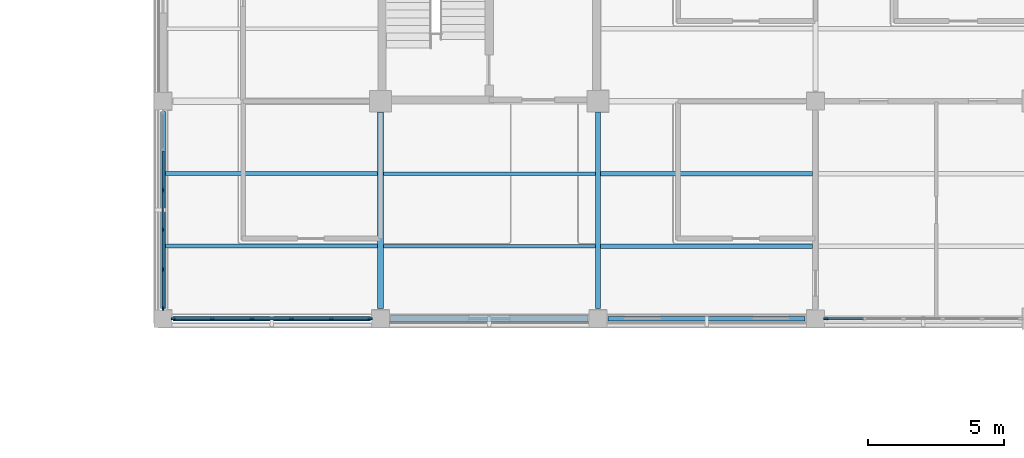
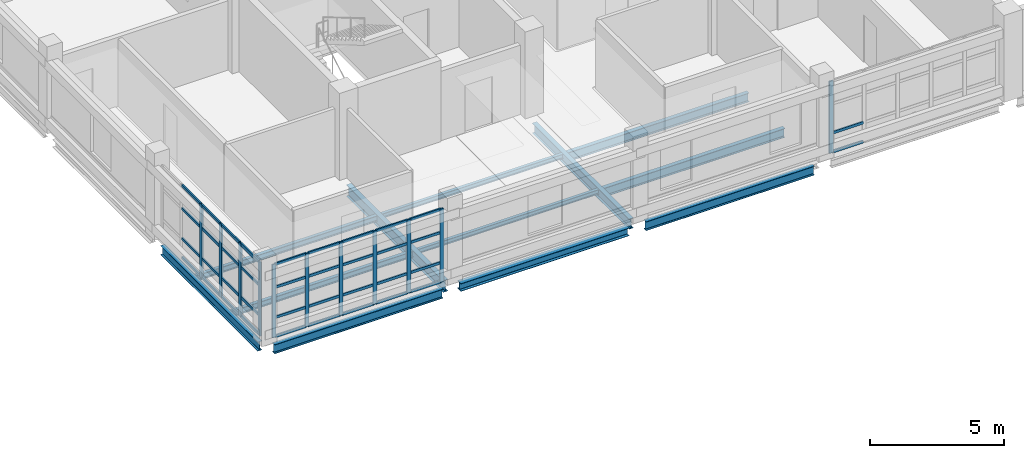
# One storey, part 57 of 126: 49 members, 12 beams, 3 elements without a shape of their own.
"""IFC4 building model written with IfcOpenShell, lengths in metres."""

from ifc_helpers import new_model, si_unit, derived_unit, direction, frame, origin, origin_2d, place, context, subcontext, project, spatial, rectangle, i_section, extrude, material, layer, layer_set, material_profile, profile_set, type_object, element, aggregate, save


model = new_model("IFC4")

# Units and contexts
model_context = context("Model", 3, precision=1e-05, world=origin(), true_north=direction((0.0, 1.0)))
body_context = subcontext(model_context, "Body", "Model", "MODEL_VIEW")
ifc_project = project(units=[si_unit("LENGTHUNIT", "METRE"), si_unit("AREAUNIT", "SQUARE_METRE"), si_unit("VOLUMEUNIT", "CUBIC_METRE"), si_unit("PLANEANGLEUNIT", "RADIAN"), si_unit("MASSUNIT", "GRAM", prefix="KILO"), derived_unit("THERMALTRANSMITTANCEUNIT", [(si_unit("MASSUNIT", "GRAM", prefix="KILO"), 1), (si_unit("TIMEUNIT", "SECOND"), -3), (si_unit("THERMODYNAMICTEMPERATUREUNIT", "KELVIN"), -1)])], contexts=[model_context])

# Site, building, storey
site_placement = place(None, origin())
site = spatial("IfcSite", under=ifc_project, at=site_placement, CompositionType="ELEMENT")
building_placement = place(site_placement, origin())
building = spatial("IfcBuilding", under=site, at=building_placement, Name="Veyamyaing Civic Hall", CompositionType="ELEMENT")
storey_placement = place(building_placement, frame((0.0, 0.0, 9.89990234375)))
storey = spatial("IfcBuildingStorey", under=building, at=storey_placement, Name="L02", CompositionType="ELEMENT", Elevation=9.89990234375)

# Beams
ifc_material_1 = material(Name="Steel ASTM A992", Category="steel")
ifc_material_profile_1 = material_profile(ifc_material_1, i_section(OverallWidth=0.208984375, OverallDepth=0.532958984375, WebThickness=0.01025390625, FlangeThickness=0.015625, FilletRadius=0.011962890625, at=origin_2d()), Name="W530X92")
ifc_profile_set_1 = profile_set([ifc_material_profile_1], Name="Steel ASTM A992")
beam_type_1 = type_object("IfcBeamType", Name="B-07", PredefinedType="BEAM", material=ifc_profile_set_1)
beam_1_placement = place(storey_placement, frame((136.0, 88.375, -0.551513671875), z_axis=(0.0, 1.0, 0.0), x_axis=(-1.0, 0.0, 0.0)))
element("IfcBeam", 1, at=beam_1_placement, inside=storey, type_object=beam_type_1, Name="Girder B-07 L02 Grid 18 M-N", PredefinedType="BEAM", context=body_context, shape_type="SweptSolid", body=[
    extrude(i_section(OverallWidth=0.208984375, OverallDepth=0.532958984375, WebThickness=0.01025390625, FlangeThickness=0.015625, FilletRadius=0.011962890625, at=origin_2d()), origin(), (0.0, 0.0, 1.0), 7.22509765625),
])
ifc_material_profile_2 = material_profile(ifc_material_1, i_section(OverallWidth=0.19189453125, OverallDepth=0.462890625, WebThickness=0.010498046875, FlangeThickness=0.017578125, FilletRadius=0.010009765625, at=origin_2d()), Name="W460X89")
ifc_profile_set_2 = profile_set([ifc_material_profile_2], Name="Steel ASTM A992")
beam_type_2 = type_object("IfcBeamType", Name="B-08", PredefinedType="BEAM", material=ifc_profile_set_2)
beam_2_placement = place(storey_placement, frame((144.0, 88.375, -0.516357421875), z_axis=(0.0, 1.0, 0.0), x_axis=(-1.0, 0.0, 0.0)))
element("IfcBeam", 2, at=beam_2_placement, inside=storey, type_object=beam_type_2, Name="Girder B-08 L02 Grid 19 M-N", PredefinedType="BEAM", context=body_context, shape_type="SweptSolid", body=[
    extrude(i_section(OverallWidth=0.19189453125, OverallDepth=0.462890625, WebThickness=0.010498046875, FlangeThickness=0.017578125, FilletRadius=0.010009765625, at=origin_2d()), origin(), (0.0, 0.0, 1.0), 7.22509765625),
])
ifc_material_profile_3 = material_profile(ifc_material_1, i_section(OverallWidth=0.179931640625, OverallDepth=0.4130859375, WebThickness=0.009765625, FlangeThickness=0.01611328125, FilletRadius=0.010009765625, at=origin_2d()), Name="W410X74")
ifc_profile_set_3 = profile_set([ifc_material_profile_3], Name="Steel ASTM A992")
beam_type_3 = type_object("IfcBeamType", Name="B-10", PredefinedType="SPANDREL", material=ifc_profile_set_3)
beam_3_placement = place(storey_placement, frame((144.375, 88.0, -0.491455078125), z_axis=(1.0, 0.0, 0.0), x_axis=(0.0, 1.0, 0.0)))
element("IfcBeam", 3, at=beam_3_placement, inside=storey, type_object=beam_type_3, Name="Girder B-10 L02 Grid M 19-20", PredefinedType="SPANDREL", context=body_context, shape_type="SweptSolid", body=[
    extrude(i_section(OverallWidth=0.179931640625, OverallDepth=0.4130859375, WebThickness=0.009765625, FlangeThickness=0.01611328125, FilletRadius=0.010009765625, at=origin_2d()), origin(), (0.0, 0.0, 1.0), 7.25),
])
ifc_material_profile_4 = material_profile(ifc_material_1, i_section(OverallWidth=0.180908203125, OverallDepth=0.4169921875, WebThickness=0.010986328125, FlangeThickness=0.018310546875, FilletRadius=0.010009765625, at=origin_2d()), Name="W410X85")
ifc_profile_set_4 = profile_set([ifc_material_profile_4], Name="Steel ASTM A992")
beam_type_4 = type_object("IfcBeamType", Name="B-19", PredefinedType="SPANDREL", material=ifc_profile_set_4)
for number, where, z_axis, x_axis, name in (
    (4, (128.375, 88.0, -0.493408203125), (1.0, 0.0, 0.0), (0.0, 1.0, 0.0), "Girder B-19 L02 Grid M 17-18"),
    (5, (128.0, 88.375, -0.493408203125), (0.0, 1.0, 0.0), (-1.0, 0.0, 0.0), "Girder B-19 L02 Grid 17 M-N"),
):
    element("IfcBeam", number, at=place(storey_placement, frame(where, z_axis=z_axis, x_axis=x_axis)), inside=storey, type_object=beam_type_4, Name=name, PredefinedType="SPANDREL", context=body_context, shape_type="SweptSolid", body=[
        extrude(i_section(OverallWidth=0.180908203125, OverallDepth=0.4169921875, WebThickness=0.010986328125, FlangeThickness=0.018310546875, FilletRadius=0.010009765625, at=origin_2d()), origin(), (0.0, 0.0, 1.0), 7.25),
    ])
ifc_material_profile_5 = material_profile(ifc_material_1, i_section(OverallWidth=0.25390625, OverallDepth=0.35302734375, WebThickness=0.009521484375, FlangeThickness=0.016357421875, FilletRadius=0.011962890625, at=origin_2d()), Name="W360X91")
ifc_profile_set_5 = profile_set([ifc_material_profile_5], Name="Steel ASTM A992")
beam_type_5 = type_object("IfcBeamType", Name="B-20", PredefinedType="SPANDREL", material=ifc_profile_set_5)
beam_4_placement = place(storey_placement, frame((136.375, 88.0, -0.46142578125), z_axis=(1.0, 0.0, 0.0), x_axis=(0.0, 1.0, 0.0)))
element("IfcBeam", 6, at=beam_4_placement, inside=storey, type_object=beam_type_5, Name="Girder B-20 L02 Grid M 18-19", PredefinedType="SPANDREL", context=body_context, shape_type="SweptSolid", body=[
    extrude(i_section(OverallWidth=0.25390625, OverallDepth=0.35302734375, WebThickness=0.009521484375, FlangeThickness=0.016357421875, FilletRadius=0.011962890625, at=origin_2d()), origin(), (0.0, 0.0, 1.0), 7.25),
])

# Curtain wall, members
ifc_material_2 = material(Name="Anodised aluminium 6063-T6", Category="aluminium")
ifc_layer = layer(ifc_material_2, 0.159912109375, Name="Anodised aluminium 6063-T6")
ifc_layer_set = layer_set([ifc_layer], Name="Anodised aluminium 6063-T6")
curtain_wall_type = type_object("IfcCurtainWallType", Name="CW-03", PredefinedType="NOTDEFINED", material=ifc_layer_set)
curtain_wall_1_placement = place(storey_placement, origin())
curtain_wall_1 = element("IfcCurtainWall", 7, at=curtain_wall_1_placement, inside=storey, type_object=curtain_wall_type, Name="Unitized curtain wall CW-03 L02 S 17.12", PredefinedType="NOTDEFINED")
ifc_material_profile_6 = material_profile(ifc_material_2, rectangle(XDim=0.06494140625, YDim=0.159912109375, at=origin_2d()), Name="ALU-MUL-65X160")
ifc_profile_set_6 = profile_set([ifc_material_profile_6], Name="Anodised aluminium 6063-T6")
member_type_1 = type_object("IfcMemberType", Name="CWM-01", PredefinedType="MULLION", material=ifc_profile_set_6)
member_1_placement = place(storey_placement, frame((128.387451171875, 88.0, 0.0), z_axis=(0.0, 0.0, 1.0), x_axis=(0.0, 1.0, 0.0)))
member_1 = element("IfcMember", 8, at=member_1_placement, type_object=member_type_1, Name="CW-03 mullion 1", PredefinedType="MULLION", context=body_context, shape_type="SweptSolid", body=[
    extrude(rectangle(XDim=0.06494140625, YDim=0.159912109375, at=origin_2d()), origin(), (0.0, 0.0, 1.0), 3.343994140625),
])
member_2_placement = place(storey_placement, frame((129.81298828125, 88.0, 0.0), z_axis=(0.0, 0.0, 1.0), x_axis=(0.0, 1.0, 0.0)))
member_2 = element("IfcMember", 9, at=member_2_placement, type_object=member_type_1, Name="CW-03 mullion 2", PredefinedType="MULLION", context=body_context, shape_type="SweptSolid", body=[
    extrude(rectangle(XDim=0.06494140625, YDim=0.159912109375, at=origin_2d()), origin(), (0.0, 0.0, 1.0), 3.343994140625),
])
member_3_placement = place(storey_placement, frame((131.27099609375, 88.0, 0.0), z_axis=(0.0, 0.0, 1.0), x_axis=(0.0, 1.0, 0.0)))
member_3 = element("IfcMember", 10, at=member_3_placement, type_object=member_type_1, Name="CW-03 mullion 3", PredefinedType="MULLION", context=body_context, shape_type="SweptSolid", body=[
    extrude(rectangle(XDim=0.06494140625, YDim=0.159912109375, at=origin_2d()), origin(), (0.0, 0.0, 1.0), 3.343994140625),
])
member_4_placement = place(storey_placement, frame((132.72900390625, 88.0, 0.0), z_axis=(0.0, 0.0, 1.0), x_axis=(0.0, 1.0, 0.0)))
member_4 = element("IfcMember", 11, at=member_4_placement, type_object=member_type_1, Name="CW-03 mullion 4", PredefinedType="MULLION", context=body_context, shape_type="SweptSolid", body=[
    extrude(rectangle(XDim=0.06494140625, YDim=0.159912109375, at=origin_2d()), origin(), (0.0, 0.0, 1.0), 3.343994140625),
])
member_5_placement = place(storey_placement, frame((134.18701171875, 88.0, 0.0), z_axis=(0.0, 0.0, 1.0), x_axis=(0.0, 1.0, 0.0)))
member_5 = element("IfcMember", 12, at=member_5_placement, type_object=member_type_1, Name="CW-03 mullion 5", PredefinedType="MULLION", context=body_context, shape_type="SweptSolid", body=[
    extrude(rectangle(XDim=0.06494140625, YDim=0.159912109375, at=origin_2d()), origin(), (0.0, 0.0, 1.0), 3.343994140625),
])
member_6_placement = place(storey_placement, frame((135.612548828125, 88.0, 0.0), z_axis=(0.0, 0.0, 1.0), x_axis=(0.0, 1.0, 0.0)))
member_6 = element("IfcMember", 13, at=member_6_placement, type_object=member_type_1, Name="CW-03 mullion 6", PredefinedType="MULLION", context=body_context, shape_type="SweptSolid", body=[
    extrude(rectangle(XDim=0.06494140625, YDim=0.159912109375, at=origin_2d()), origin(), (0.0, 0.0, 1.0), 3.343994140625),
])

curtain_wall_2_placement = place(storey_placement, origin())
curtain_wall_2 = element("IfcCurtainWall", 14, at=curtain_wall_2_placement, inside=storey, type_object=curtain_wall_type, Name="Unitized curtain wall CW-03 L02 W 17.12", PredefinedType="NOTDEFINED")
member_7_placement = place(storey_placement, frame((128.0, 88.387451171875, 0.0), z_axis=(0.0, 0.0, 1.0), x_axis=(-1.0, 0.0, 0.0)))
member_7 = element("IfcMember", 15, at=member_7_placement, type_object=member_type_1, Name="CW-03 mullion 1", PredefinedType="MULLION", context=body_context, shape_type="SweptSolid", body=[
    extrude(rectangle(XDim=0.06494140625, YDim=0.159912109375, at=origin_2d()), origin(), (0.0, 0.0, 1.0), 3.343994140625),
])
member_8_placement = place(storey_placement, frame((128.0, 89.81298828125, 0.0), z_axis=(0.0, 0.0, 1.0), x_axis=(-1.0, 0.0, 0.0)))
member_8 = element("IfcMember", 16, at=member_8_placement, type_object=member_type_1, Name="CW-03 mullion 2", PredefinedType="MULLION", context=body_context, shape_type="SweptSolid", body=[
    extrude(rectangle(XDim=0.06494140625, YDim=0.159912109375, at=origin_2d()), origin(), (0.0, 0.0, 1.0), 3.343994140625),
])
member_9_placement = place(storey_placement, frame((128.0, 91.27099609375, 0.0), z_axis=(0.0, 0.0, 1.0), x_axis=(-1.0, 0.0, 0.0)))
member_9 = element("IfcMember", 17, at=member_9_placement, type_object=member_type_1, Name="CW-03 mullion 3", PredefinedType="MULLION", context=body_context, shape_type="SweptSolid", body=[
    extrude(rectangle(XDim=0.06494140625, YDim=0.159912109375, at=origin_2d()), origin(), (0.0, 0.0, 1.0), 3.343994140625),
])
member_10_placement = place(storey_placement, frame((128.0, 92.72900390625, 0.0), z_axis=(0.0, 0.0, 1.0), x_axis=(-1.0, 0.0, 0.0)))
member_10 = element("IfcMember", 18, at=member_10_placement, type_object=member_type_1, Name="CW-03 mullion 4", PredefinedType="MULLION", context=body_context, shape_type="SweptSolid", body=[
    extrude(rectangle(XDim=0.06494140625, YDim=0.159912109375, at=origin_2d()), origin(), (0.0, 0.0, 1.0), 3.343994140625),
])

# Curtain wall, member
curtain_wall_3_placement = place(storey_placement, origin())
curtain_wall_3 = element("IfcCurtainWall", 19, at=curtain_wall_3_placement, inside=storey, type_object=curtain_wall_type, Name="Unitized curtain wall CW-03 L02 S 20.12", PredefinedType="NOTDEFINED")
member_11_placement = place(storey_placement, frame((152.387451171875, 88.0, 0.0), z_axis=(0.0, 0.0, 1.0), x_axis=(0.0, 1.0, 0.0)))
member_11 = element("IfcMember", 20, at=member_11_placement, type_object=member_type_1, Name="CW-03 mullion 1", PredefinedType="MULLION", context=body_context, shape_type="SweptSolid", body=[
    extrude(rectangle(XDim=0.06494140625, YDim=0.159912109375, at=origin_2d()), origin(), (0.0, 0.0, 1.0), 3.280029296875),
])

# Member
ifc_material_profile_7 = material_profile(ifc_material_2, rectangle(XDim=0.06494140625, YDim=0.1201171875, at=origin_2d()), Name="ALU-TRN-65X120")
ifc_profile_set_7 = profile_set([ifc_material_profile_7], Name="Anodised aluminium 6063-T6")
member_type_2 = type_object("IfcMemberType", Name="CWT-01", PredefinedType="USERDEFINED", material=ifc_profile_set_7)
member_12_placement = place(storey_placement, frame((128.419921875, 88.0, 0.03271484375), z_axis=(1.0, 0.0, 0.0), x_axis=(0.0, 1.0, 0.0)))
member_12 = element("IfcMember", 21, at=member_12_placement, type_object=member_type_2, Name="CW-03 transom 1.1", ObjectType="TRANSOM", PredefinedType="USERDEFINED", context=body_context, shape_type="SweptSolid", body=[
    extrude(rectangle(XDim=0.06494140625, YDim=0.1201171875, at=origin_2d()), origin(), (0.0, 0.0, 1.0), 1.360595703125),
])

member_13_placement = place(storey_placement, frame((128.419921875, 88.0, 0.900146484375), z_axis=(1.0, 0.0, 0.0), x_axis=(0.0, 1.0, 0.0)))
member_13 = element("IfcMember", 22, at=member_13_placement, type_object=member_type_2, Name="CW-03 transom 1.2", ObjectType="TRANSOM", PredefinedType="USERDEFINED", context=body_context, shape_type="SweptSolid", body=[
    extrude(rectangle(XDim=0.06494140625, YDim=0.1201171875, at=origin_2d()), origin(), (0.0, 0.0, 1.0), 1.360595703125),
])

member_14_placement = place(storey_placement, frame((128.419921875, 88.0, 2.27392578125), z_axis=(1.0, 0.0, 0.0), x_axis=(0.0, 1.0, 0.0)))
member_14 = element("IfcMember", 23, at=member_14_placement, type_object=member_type_2, Name="CW-03 transom 1.3", ObjectType="TRANSOM", PredefinedType="USERDEFINED", context=body_context, shape_type="SweptSolid", body=[
    extrude(rectangle(XDim=0.06494140625, YDim=0.1201171875, at=origin_2d()), origin(), (0.0, 0.0, 1.0), 1.360595703125),
])

member_15_placement = place(storey_placement, frame((128.419921875, 88.0, 3.3115234375), z_axis=(1.0, 0.0, 0.0), x_axis=(0.0, 1.0, 0.0)))
member_15 = element("IfcMember", 24, at=member_15_placement, type_object=member_type_2, Name="CW-03 transom 1.4", ObjectType="TRANSOM", PredefinedType="USERDEFINED", context=body_context, shape_type="SweptSolid", body=[
    extrude(rectangle(XDim=0.06494140625, YDim=0.1201171875, at=origin_2d()), origin(), (0.0, 0.0, 1.0), 1.360595703125),
])

member_16_placement = place(storey_placement, frame((129.845458984375, 88.0, 0.03271484375), z_axis=(1.0, 0.0, 0.0), x_axis=(0.0, 1.0, 0.0)))
member_16 = element("IfcMember", 25, at=member_16_placement, type_object=member_type_2, Name="CW-03 transom 2.1", ObjectType="TRANSOM", PredefinedType="USERDEFINED", context=body_context, shape_type="SweptSolid", body=[
    extrude(rectangle(XDim=0.06494140625, YDim=0.1201171875, at=origin_2d()), origin(), (0.0, 0.0, 1.0), 1.39306640625),
])

member_17_placement = place(storey_placement, frame((129.845458984375, 88.0, 0.900146484375), z_axis=(1.0, 0.0, 0.0), x_axis=(0.0, 1.0, 0.0)))
member_17 = element("IfcMember", 26, at=member_17_placement, type_object=member_type_2, Name="CW-03 transom 2.2", ObjectType="TRANSOM", PredefinedType="USERDEFINED", context=body_context, shape_type="SweptSolid", body=[
    extrude(rectangle(XDim=0.06494140625, YDim=0.1201171875, at=origin_2d()), origin(), (0.0, 0.0, 1.0), 1.39306640625),
])

member_18_placement = place(storey_placement, frame((129.845458984375, 88.0, 2.27392578125), z_axis=(1.0, 0.0, 0.0), x_axis=(0.0, 1.0, 0.0)))
member_18 = element("IfcMember", 27, at=member_18_placement, type_object=member_type_2, Name="CW-03 transom 2.3", ObjectType="TRANSOM", PredefinedType="USERDEFINED", context=body_context, shape_type="SweptSolid", body=[
    extrude(rectangle(XDim=0.06494140625, YDim=0.1201171875, at=origin_2d()), origin(), (0.0, 0.0, 1.0), 1.39306640625),
])

member_19_placement = place(storey_placement, frame((129.845458984375, 88.0, 3.3115234375), z_axis=(1.0, 0.0, 0.0), x_axis=(0.0, 1.0, 0.0)))
member_19 = element("IfcMember", 28, at=member_19_placement, type_object=member_type_2, Name="CW-03 transom 2.4", ObjectType="TRANSOM", PredefinedType="USERDEFINED", context=body_context, shape_type="SweptSolid", body=[
    extrude(rectangle(XDim=0.06494140625, YDim=0.1201171875, at=origin_2d()), origin(), (0.0, 0.0, 1.0), 1.39306640625),
])

member_20_placement = place(storey_placement, frame((131.303466796875, 88.0, 0.03271484375), z_axis=(1.0, 0.0, 0.0), x_axis=(0.0, 1.0, 0.0)))
member_20 = element("IfcMember", 29, at=member_20_placement, type_object=member_type_2, Name="CW-03 transom 3.1", ObjectType="TRANSOM", PredefinedType="USERDEFINED", context=body_context, shape_type="SweptSolid", body=[
    extrude(rectangle(XDim=0.06494140625, YDim=0.1201171875, at=origin_2d()), origin(), (0.0, 0.0, 1.0), 1.39306640625),
])

member_21_placement = place(storey_placement, frame((131.303466796875, 88.0, 0.900146484375), z_axis=(1.0, 0.0, 0.0), x_axis=(0.0, 1.0, 0.0)))
member_21 = element("IfcMember", 30, at=member_21_placement, type_object=member_type_2, Name="CW-03 transom 3.2", ObjectType="TRANSOM", PredefinedType="USERDEFINED", context=body_context, shape_type="SweptSolid", body=[
    extrude(rectangle(XDim=0.06494140625, YDim=0.1201171875, at=origin_2d()), origin(), (0.0, 0.0, 1.0), 1.39306640625),
])

member_22_placement = place(storey_placement, frame((131.303466796875, 88.0, 2.27392578125), z_axis=(1.0, 0.0, 0.0), x_axis=(0.0, 1.0, 0.0)))
member_22 = element("IfcMember", 31, at=member_22_placement, type_object=member_type_2, Name="CW-03 transom 3.3", ObjectType="TRANSOM", PredefinedType="USERDEFINED", context=body_context, shape_type="SweptSolid", body=[
    extrude(rectangle(XDim=0.06494140625, YDim=0.1201171875, at=origin_2d()), origin(), (0.0, 0.0, 1.0), 1.39306640625),
])

member_23_placement = place(storey_placement, frame((131.303466796875, 88.0, 3.3115234375), z_axis=(1.0, 0.0, 0.0), x_axis=(0.0, 1.0, 0.0)))
member_23 = element("IfcMember", 32, at=member_23_placement, type_object=member_type_2, Name="CW-03 transom 3.4", ObjectType="TRANSOM", PredefinedType="USERDEFINED", context=body_context, shape_type="SweptSolid", body=[
    extrude(rectangle(XDim=0.06494140625, YDim=0.1201171875, at=origin_2d()), origin(), (0.0, 0.0, 1.0), 1.39306640625),
])

member_24_placement = place(storey_placement, frame((132.761474609375, 88.0, 0.03271484375), z_axis=(1.0, 0.0, 0.0), x_axis=(0.0, 1.0, 0.0)))
member_24 = element("IfcMember", 33, at=member_24_placement, type_object=member_type_2, Name="CW-03 transom 4.1", ObjectType="TRANSOM", PredefinedType="USERDEFINED", context=body_context, shape_type="SweptSolid", body=[
    extrude(rectangle(XDim=0.06494140625, YDim=0.1201171875, at=origin_2d()), origin(), (0.0, 0.0, 1.0), 1.39306640625),
])

member_25_placement = place(storey_placement, frame((132.761474609375, 88.0, 0.900146484375), z_axis=(1.0, 0.0, 0.0), x_axis=(0.0, 1.0, 0.0)))
member_25 = element("IfcMember", 34, at=member_25_placement, type_object=member_type_2, Name="CW-03 transom 4.2", ObjectType="TRANSOM", PredefinedType="USERDEFINED", context=body_context, shape_type="SweptSolid", body=[
    extrude(rectangle(XDim=0.06494140625, YDim=0.1201171875, at=origin_2d()), origin(), (0.0, 0.0, 1.0), 1.39306640625),
])

member_26_placement = place(storey_placement, frame((132.761474609375, 88.0, 2.27392578125), z_axis=(1.0, 0.0, 0.0), x_axis=(0.0, 1.0, 0.0)))
member_26 = element("IfcMember", 35, at=member_26_placement, type_object=member_type_2, Name="CW-03 transom 4.3", ObjectType="TRANSOM", PredefinedType="USERDEFINED", context=body_context, shape_type="SweptSolid", body=[
    extrude(rectangle(XDim=0.06494140625, YDim=0.1201171875, at=origin_2d()), origin(), (0.0, 0.0, 1.0), 1.39306640625),
])

member_27_placement = place(storey_placement, frame((132.761474609375, 88.0, 3.3115234375), z_axis=(1.0, 0.0, 0.0), x_axis=(0.0, 1.0, 0.0)))
member_27 = element("IfcMember", 36, at=member_27_placement, type_object=member_type_2, Name="CW-03 transom 4.4", ObjectType="TRANSOM", PredefinedType="USERDEFINED", context=body_context, shape_type="SweptSolid", body=[
    extrude(rectangle(XDim=0.06494140625, YDim=0.1201171875, at=origin_2d()), origin(), (0.0, 0.0, 1.0), 1.39306640625),
])

member_28_placement = place(storey_placement, frame((134.219482421875, 88.0, 0.03271484375), z_axis=(1.0, 0.0, 0.0), x_axis=(0.0, 1.0, 0.0)))
member_28 = element("IfcMember", 37, at=member_28_placement, type_object=member_type_2, Name="CW-03 transom 5.1", ObjectType="TRANSOM", PredefinedType="USERDEFINED", context=body_context, shape_type="SweptSolid", body=[
    extrude(rectangle(XDim=0.06494140625, YDim=0.1201171875, at=origin_2d()), origin(), (0.0, 0.0, 1.0), 1.360595703125),
])

member_29_placement = place(storey_placement, frame((134.219482421875, 88.0, 0.900146484375), z_axis=(1.0, 0.0, 0.0), x_axis=(0.0, 1.0, 0.0)))
member_29 = element("IfcMember", 38, at=member_29_placement, type_object=member_type_2, Name="CW-03 transom 5.2", ObjectType="TRANSOM", PredefinedType="USERDEFINED", context=body_context, shape_type="SweptSolid", body=[
    extrude(rectangle(XDim=0.06494140625, YDim=0.1201171875, at=origin_2d()), origin(), (0.0, 0.0, 1.0), 1.360595703125),
])

member_30_placement = place(storey_placement, frame((134.219482421875, 88.0, 2.27392578125), z_axis=(1.0, 0.0, 0.0), x_axis=(0.0, 1.0, 0.0)))
member_30 = element("IfcMember", 39, at=member_30_placement, type_object=member_type_2, Name="CW-03 transom 5.3", ObjectType="TRANSOM", PredefinedType="USERDEFINED", context=body_context, shape_type="SweptSolid", body=[
    extrude(rectangle(XDim=0.06494140625, YDim=0.1201171875, at=origin_2d()), origin(), (0.0, 0.0, 1.0), 1.360595703125),
])

member_31_placement = place(storey_placement, frame((134.219482421875, 88.0, 3.3115234375), z_axis=(1.0, 0.0, 0.0), x_axis=(0.0, 1.0, 0.0)))
member_31 = element("IfcMember", 40, at=member_31_placement, type_object=member_type_2, Name="CW-03 transom 5.4", ObjectType="TRANSOM", PredefinedType="USERDEFINED", context=body_context, shape_type="SweptSolid", body=[
    extrude(rectangle(XDim=0.06494140625, YDim=0.1201171875, at=origin_2d()), origin(), (0.0, 0.0, 1.0), 1.360595703125),
])

aggregate(curtain_wall_1, [member_1, member_2, member_3, member_4, member_5, member_6, member_12, member_13, member_14, member_15, member_16, member_17, member_18, member_19, member_20, member_21, member_22, member_23, member_24, member_25, member_26, member_27, member_28, member_29, member_30, member_31])

member_32_placement = place(storey_placement, frame((128.0, 88.419921875, 0.03271484375), z_axis=(0.0, 1.0, 0.0), x_axis=(-1.0, 0.0, 0.0)))
member_32 = element("IfcMember", 41, at=member_32_placement, type_object=member_type_2, Name="CW-03 transom 1.1", ObjectType="TRANSOM", PredefinedType="USERDEFINED", context=body_context, shape_type="SweptSolid", body=[
    extrude(rectangle(XDim=0.06494140625, YDim=0.1201171875, at=origin_2d()), origin(), (0.0, 0.0, 1.0), 1.360595703125),
])

member_33_placement = place(storey_placement, frame((128.0, 88.419921875, 0.900146484375), z_axis=(0.0, 1.0, 0.0), x_axis=(-1.0, 0.0, 0.0)))
member_33 = element("IfcMember", 42, at=member_33_placement, type_object=member_type_2, Name="CW-03 transom 1.2", ObjectType="TRANSOM", PredefinedType="USERDEFINED", context=body_context, shape_type="SweptSolid", body=[
    extrude(rectangle(XDim=0.06494140625, YDim=0.1201171875, at=origin_2d()), origin(), (0.0, 0.0, 1.0), 1.360595703125),
])

member_34_placement = place(storey_placement, frame((128.0, 88.419921875, 2.27392578125), z_axis=(0.0, 1.0, 0.0), x_axis=(-1.0, 0.0, 0.0)))
member_34 = element("IfcMember", 43, at=member_34_placement, type_object=member_type_2, Name="CW-03 transom 1.3", ObjectType="TRANSOM", PredefinedType="USERDEFINED", context=body_context, shape_type="SweptSolid", body=[
    extrude(rectangle(XDim=0.06494140625, YDim=0.1201171875, at=origin_2d()), origin(), (0.0, 0.0, 1.0), 1.360595703125),
])

member_35_placement = place(storey_placement, frame((128.0, 88.419921875, 3.3115234375), z_axis=(0.0, 1.0, 0.0), x_axis=(-1.0, 0.0, 0.0)))
member_35 = element("IfcMember", 44, at=member_35_placement, type_object=member_type_2, Name="CW-03 transom 1.4", ObjectType="TRANSOM", PredefinedType="USERDEFINED", context=body_context, shape_type="SweptSolid", body=[
    extrude(rectangle(XDim=0.06494140625, YDim=0.1201171875, at=origin_2d()), origin(), (0.0, 0.0, 1.0), 1.360595703125),
])

member_36_placement = place(storey_placement, frame((128.0, 89.845458984375, 0.03271484375), z_axis=(0.0, 1.0, 0.0), x_axis=(-1.0, 0.0, 0.0)))
member_36 = element("IfcMember", 45, at=member_36_placement, type_object=member_type_2, Name="CW-03 transom 2.1", ObjectType="TRANSOM", PredefinedType="USERDEFINED", context=body_context, shape_type="SweptSolid", body=[
    extrude(rectangle(XDim=0.06494140625, YDim=0.1201171875, at=origin_2d()), origin(), (0.0, 0.0, 1.0), 1.39306640625),
])

member_37_placement = place(storey_placement, frame((128.0, 89.845458984375, 0.900146484375), z_axis=(0.0, 1.0, 0.0), x_axis=(-1.0, 0.0, 0.0)))
member_37 = element("IfcMember", 46, at=member_37_placement, type_object=member_type_2, Name="CW-03 transom 2.2", ObjectType="TRANSOM", PredefinedType="USERDEFINED", context=body_context, shape_type="SweptSolid", body=[
    extrude(rectangle(XDim=0.06494140625, YDim=0.1201171875, at=origin_2d()), origin(), (0.0, 0.0, 1.0), 1.39306640625),
])

member_38_placement = place(storey_placement, frame((128.0, 89.845458984375, 2.27392578125), z_axis=(0.0, 1.0, 0.0), x_axis=(-1.0, 0.0, 0.0)))
member_38 = element("IfcMember", 47, at=member_38_placement, type_object=member_type_2, Name="CW-03 transom 2.3", ObjectType="TRANSOM", PredefinedType="USERDEFINED", context=body_context, shape_type="SweptSolid", body=[
    extrude(rectangle(XDim=0.06494140625, YDim=0.1201171875, at=origin_2d()), origin(), (0.0, 0.0, 1.0), 1.39306640625),
])

member_39_placement = place(storey_placement, frame((128.0, 89.845458984375, 3.3115234375), z_axis=(0.0, 1.0, 0.0), x_axis=(-1.0, 0.0, 0.0)))
member_39 = element("IfcMember", 48, at=member_39_placement, type_object=member_type_2, Name="CW-03 transom 2.4", ObjectType="TRANSOM", PredefinedType="USERDEFINED", context=body_context, shape_type="SweptSolid", body=[
    extrude(rectangle(XDim=0.06494140625, YDim=0.1201171875, at=origin_2d()), origin(), (0.0, 0.0, 1.0), 1.39306640625),
])

member_40_placement = place(storey_placement, frame((128.0, 91.303466796875, 0.03271484375), z_axis=(0.0, 1.0, 0.0), x_axis=(-1.0, 0.0, 0.0)))
member_40 = element("IfcMember", 49, at=member_40_placement, type_object=member_type_2, Name="CW-03 transom 3.1", ObjectType="TRANSOM", PredefinedType="USERDEFINED", context=body_context, shape_type="SweptSolid", body=[
    extrude(rectangle(XDim=0.06494140625, YDim=0.1201171875, at=origin_2d()), origin(), (0.0, 0.0, 1.0), 1.39306640625),
])

member_41_placement = place(storey_placement, frame((128.0, 91.303466796875, 0.900146484375), z_axis=(0.0, 1.0, 0.0), x_axis=(-1.0, 0.0, 0.0)))
member_41 = element("IfcMember", 50, at=member_41_placement, type_object=member_type_2, Name="CW-03 transom 3.2", ObjectType="TRANSOM", PredefinedType="USERDEFINED", context=body_context, shape_type="SweptSolid", body=[
    extrude(rectangle(XDim=0.06494140625, YDim=0.1201171875, at=origin_2d()), origin(), (0.0, 0.0, 1.0), 1.39306640625),
])

member_42_placement = place(storey_placement, frame((128.0, 91.303466796875, 2.27392578125), z_axis=(0.0, 1.0, 0.0), x_axis=(-1.0, 0.0, 0.0)))
member_42 = element("IfcMember", 51, at=member_42_placement, type_object=member_type_2, Name="CW-03 transom 3.3", ObjectType="TRANSOM", PredefinedType="USERDEFINED", context=body_context, shape_type="SweptSolid", body=[
    extrude(rectangle(XDim=0.06494140625, YDim=0.1201171875, at=origin_2d()), origin(), (0.0, 0.0, 1.0), 1.39306640625),
])

member_43_placement = place(storey_placement, frame((128.0, 91.303466796875, 3.3115234375), z_axis=(0.0, 1.0, 0.0), x_axis=(-1.0, 0.0, 0.0)))
member_43 = element("IfcMember", 52, at=member_43_placement, type_object=member_type_2, Name="CW-03 transom 3.4", ObjectType="TRANSOM", PredefinedType="USERDEFINED", context=body_context, shape_type="SweptSolid", body=[
    extrude(rectangle(XDim=0.06494140625, YDim=0.1201171875, at=origin_2d()), origin(), (0.0, 0.0, 1.0), 1.39306640625),
])

member_44_placement = place(storey_placement, frame((128.0, 92.761474609375, 0.03271484375), z_axis=(0.0, 1.0, 0.0), x_axis=(-1.0, 0.0, 0.0)))
member_44 = element("IfcMember", 53, at=member_44_placement, type_object=member_type_2, Name="CW-03 transom 4.1", ObjectType="TRANSOM", PredefinedType="USERDEFINED", context=body_context, shape_type="SweptSolid", body=[
    extrude(rectangle(XDim=0.06494140625, YDim=0.1201171875, at=origin_2d()), origin(), (0.0, 0.0, 1.0), 1.39306640625),
])

member_45_placement = place(storey_placement, frame((128.0, 92.761474609375, 0.900146484375), z_axis=(0.0, 1.0, 0.0), x_axis=(-1.0, 0.0, 0.0)))
member_45 = element("IfcMember", 54, at=member_45_placement, type_object=member_type_2, Name="CW-03 transom 4.2", ObjectType="TRANSOM", PredefinedType="USERDEFINED", context=body_context, shape_type="SweptSolid", body=[
    extrude(rectangle(XDim=0.06494140625, YDim=0.1201171875, at=origin_2d()), origin(), (0.0, 0.0, 1.0), 1.39306640625),
])

member_46_placement = place(storey_placement, frame((128.0, 92.761474609375, 2.27392578125), z_axis=(0.0, 1.0, 0.0), x_axis=(-1.0, 0.0, 0.0)))
member_46 = element("IfcMember", 55, at=member_46_placement, type_object=member_type_2, Name="CW-03 transom 4.3", ObjectType="TRANSOM", PredefinedType="USERDEFINED", context=body_context, shape_type="SweptSolid", body=[
    extrude(rectangle(XDim=0.06494140625, YDim=0.1201171875, at=origin_2d()), origin(), (0.0, 0.0, 1.0), 1.39306640625),
])

member_47_placement = place(storey_placement, frame((128.0, 92.761474609375, 3.3115234375), z_axis=(0.0, 1.0, 0.0), x_axis=(-1.0, 0.0, 0.0)))
member_47 = element("IfcMember", 56, at=member_47_placement, type_object=member_type_2, Name="CW-03 transom 4.4", ObjectType="TRANSOM", PredefinedType="USERDEFINED", context=body_context, shape_type="SweptSolid", body=[
    extrude(rectangle(XDim=0.06494140625, YDim=0.1201171875, at=origin_2d()), origin(), (0.0, 0.0, 1.0), 1.39306640625),
])

aggregate(curtain_wall_2, [member_7, member_8, member_9, member_10, member_32, member_33, member_34, member_35, member_36, member_37, member_38, member_39, member_40, member_41, member_42, member_43, member_44, member_45, member_46, member_47])

member_48_placement = place(storey_placement, frame((152.419921875, 88.0, 0.03271484375), z_axis=(1.0, 0.0, 0.0), x_axis=(0.0, 1.0, 0.0)))
member_48 = element("IfcMember", 57, at=member_48_placement, type_object=member_type_2, Name="CW-03 transom 1.1", ObjectType="TRANSOM", PredefinedType="USERDEFINED", context=body_context, shape_type="SweptSolid", body=[
    extrude(rectangle(XDim=0.06494140625, YDim=0.1201171875, at=origin_2d()), origin(), (0.0, 0.0, 1.0), 1.345458984375),
])

member_49_placement = place(storey_placement, frame((152.419921875, 88.0, 0.900146484375), z_axis=(1.0, 0.0, 0.0), x_axis=(0.0, 1.0, 0.0)))
member_49 = element("IfcMember", 58, at=member_49_placement, type_object=member_type_2, Name="CW-03 transom 1.2", ObjectType="TRANSOM", PredefinedType="USERDEFINED", context=body_context, shape_type="SweptSolid", body=[
    extrude(rectangle(XDim=0.06494140625, YDim=0.1201171875, at=origin_2d()), origin(), (0.0, 0.0, 1.0), 1.345458984375),
])

aggregate(curtain_wall_3, [member_11, member_48, member_49])

# Beams
ifc_material_profile_8 = material_profile(ifc_material_1, i_section(OverallWidth=0.177978515625, OverallDepth=0.406982421875, WebThickness=0.0078125, FlangeThickness=0.0126953125, FilletRadius=0.010009765625, at=origin_2d()), Name="W410X60")
ifc_profile_set_8 = profile_set([ifc_material_profile_8], Name="Steel ASTM A992")
beam_type_6 = type_object("IfcBeamType", Name="J-01", PredefinedType="JOIST", material=ifc_profile_set_8)
for number, where, z_axis, x_axis, name in (
    (59, (144.093994140625, 90.666748046875, -0.48828125), (1.0, 0.0, 0.0), (0.0, 1.0, 0.0), "Composite floor joist J-01 L02 19.12.1"),
    (60, (144.093994140625, 93.333251953125, -0.48828125), (1.0, 0.0, 0.0), (0.0, 1.0, 0.0), "Composite floor joist J-01 L02 19.12.2"),
):
    element("IfcBeam", number, at=place(storey_placement, frame(where, z_axis=z_axis, x_axis=x_axis)), inside=storey, type_object=beam_type_6, Name=name, PredefinedType="JOIST", context=body_context, shape_type="SweptSolid", body=[
        extrude(i_section(OverallWidth=0.177978515625, OverallDepth=0.406982421875, WebThickness=0.0078125, FlangeThickness=0.0126953125, FilletRadius=0.010009765625, at=origin_2d()), origin(), (0.0, 0.0, 1.0), 7.802490234375),
    ])
ifc_material_profile_9 = material_profile(ifc_material_1, i_section(OverallWidth=0.14794921875, OverallDepth=0.26611328125, WebThickness=0.007568359375, FlangeThickness=0.012939453125, FilletRadius=0.010009765625, at=origin_2d()), Name="W250X45")
ifc_profile_set_9 = profile_set([ifc_material_profile_9], Name="Steel ASTM A992")
beam_type_7 = type_object("IfcBeamType", Name="J-07", PredefinedType="JOIST", material=ifc_profile_set_9)
for number, where, z_axis, x_axis, name in (
    (61, (128.08837890625, 90.666748046875, -0.41796875), (1.0, 0.0, 0.0), (0.0, 1.0, 0.0), "Composite floor joist J-07 L02 17.12.1"),
    (62, (128.08837890625, 93.333251953125, -0.41796875), (1.0, 0.0, 0.0), (0.0, 1.0, 0.0), "Composite floor joist J-07 L02 17.12.2"),
):
    element("IfcBeam", number, at=place(storey_placement, frame(where, z_axis=z_axis, x_axis=x_axis)), inside=storey, type_object=beam_type_7, Name=name, PredefinedType="JOIST", context=body_context, shape_type="SweptSolid", body=[
        extrude(i_section(OverallWidth=0.14794921875, OverallDepth=0.26611328125, WebThickness=0.007568359375, FlangeThickness=0.012939453125, FilletRadius=0.010009765625, at=origin_2d()), origin(), (0.0, 0.0, 1.0), 7.80908203125),
    ])
ifc_material_profile_10 = material_profile(ifc_material_1, i_section(OverallWidth=0.133056640625, OverallDepth=0.20703125, WebThickness=0.005859375, FlangeThickness=0.00830078125, FilletRadius=0.010009765625, at=origin_2d()), Name="W200X27")
ifc_profile_set_10 = profile_set([ifc_material_profile_10], Name="Steel ASTM A992")
beam_type_8 = type_object("IfcBeamType", Name="J-08", PredefinedType="JOIST", material=ifc_profile_set_10)
for number, where, z_axis, x_axis, name in (
    (63, (136.1025390625, 90.666748046875, -0.388427734375), (1.0, 0.0, 0.0), (0.0, 1.0, 0.0), "Composite floor joist J-08 L02 18.12.1"),
    (64, (136.1025390625, 93.333251953125, -0.388427734375), (1.0, 0.0, 0.0), (0.0, 1.0, 0.0), "Composite floor joist J-08 L02 18.12.2"),
):
    element("IfcBeam", number, at=place(storey_placement, frame(where, z_axis=z_axis, x_axis=x_axis)), inside=storey, type_object=beam_type_8, Name=name, PredefinedType="JOIST", context=body_context, shape_type="SweptSolid", body=[
        extrude(i_section(OverallWidth=0.133056640625, OverallDepth=0.20703125, WebThickness=0.005859375, FlangeThickness=0.00830078125, FilletRadius=0.010009765625, at=origin_2d()), origin(), (0.0, 0.0, 1.0), 7.803466796875),
    ])

save(model, "model.ifc")
